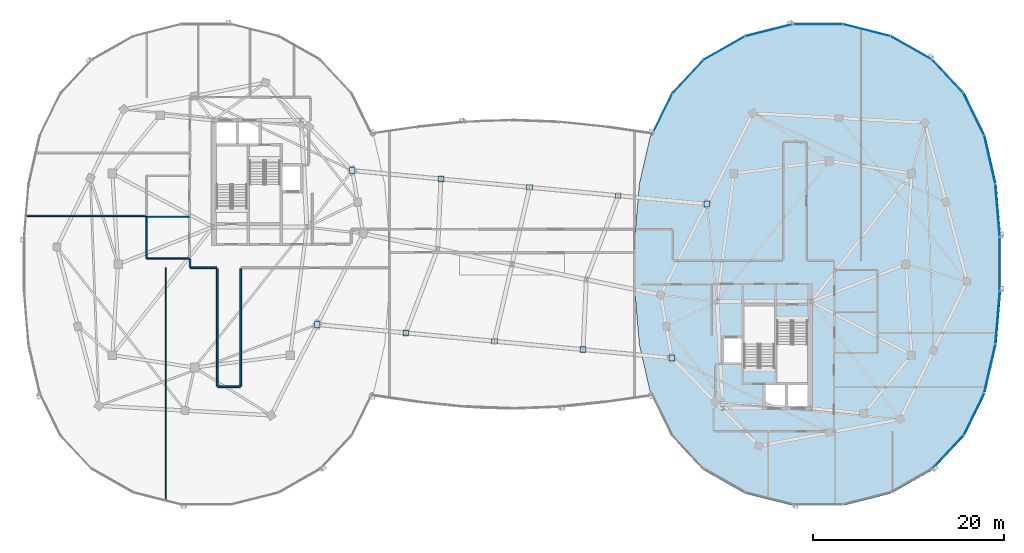
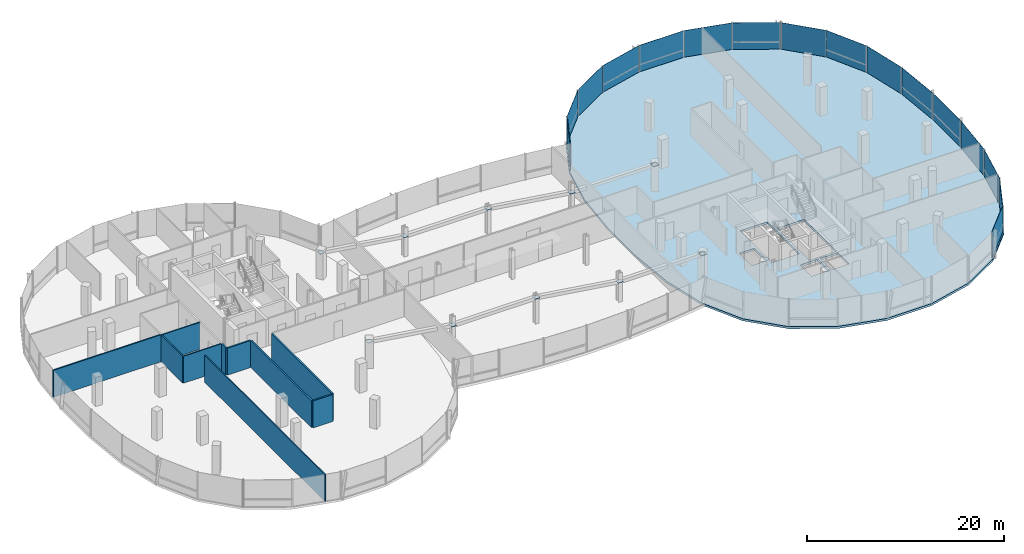
# One storey, part 13 of 25: 26 plates, 10 walls, 1 slab, 3 elements without a shape of their own.
"""IFC4 building model written with IfcOpenShell, lengths in metres."""

from ifc_helpers import new_model, si_unit, direction, frame, frame_2d, origin, origin_2d, place, context, subcontext, project, spatial, polyline, rectangle, outline, extrude, material, layer, layer_set, type_object, element, aggregate, save


model = new_model("IFC4")

# Units and contexts
model_context = context("Model", 3, precision=1e-05, world=origin(), true_north=direction((0.0, 1.0)))
body_context = subcontext(model_context, "Body", "Model", "MODEL_VIEW")
ifc_project = project(units=[si_unit("LENGTHUNIT", "METRE"), si_unit("AREAUNIT", "SQUARE_METRE"), si_unit("VOLUMEUNIT", "CUBIC_METRE"), si_unit("PLANEANGLEUNIT", "RADIAN"), si_unit("MASSUNIT", "GRAM", prefix="KILO"), si_unit("THERMODYNAMICTEMPERATUREUNIT", "KELVIN"), si_unit("POWERUNIT", "WATT")], contexts=[model_context])

# Site, building, storey
site_placement = place(None, origin())
site = spatial("IfcSite", under=ifc_project, at=site_placement, CompositionType="ELEMENT")
building_placement = place(site_placement, origin())
building = spatial("IfcBuilding", under=site, at=building_placement, Name="Cundina Bronze Exchange", CompositionType="ELEMENT")
storey_placement = place(building_placement, frame((0.0, 0.0, 239.60009765625)))
storey = spatial("IfcBuildingStorey", under=building, at=storey_placement, Name="L63", CompositionType="ELEMENT", Elevation=239.60009765625)

# Plates
ifc_material_1 = material(Name="Steel ASTM A572 Grade 50", Category="steel")
ifc_layer_1 = layer(ifc_material_1, 0.02490234375, Name="Steel ASTM A572 Grade 50", Category="steel")
ifc_layer_set_1 = layer_set([ifc_layer_1], Name="Steel ASTM A572 Grade 50")
plate_type_1 = type_object("IfcPlateType", Name="PLT-CAP-STL25", PredefinedType="USERDEFINED", material=ifc_layer_set_1)
for number, where, z_axis, x_axis, name in (
    (1, (-20.375, -6.300048828125, 3.117431640625), (0.0, 0.0, 1.0), (1.0, 0.0, 0.0), "L63 Sky-Gate Warren Truss Diagonal Y1-P1 End Cap Plate 1"),
    (2, (-11.106201171875, -7.175048828125, 2.407470703125), (0.0, 0.0, 1.0), (1.0, 0.0, 0.0), "L63 Sky-Gate Warren Truss Diagonal Y1-P1 End Cap Plate 2"),
    (3, (-1.83740234375, -8.050048828125, 3.117431640625), (0.0, 0.0, 1.0), (1.0, 0.0, 0.0), "L63 Sky-Gate Warren Truss Diagonal Y1-P2 End Cap Plate 2"),
    (4, (7.431396484375, -8.925048828125, 2.407470703125), (0.0, 0.0, 1.0), (1.0, 0.0, 0.0), "L63 Sky-Gate Warren Truss Diagonal Y1-P3 End Cap Plate 2"),
    (5, (16.699951171875, -9.800048828125, 3.117431640625), (0.0, 0.0, 1.0), (1.0, 0.0, 0.0), "L63 Sky-Gate Warren Truss Diagonal Y1-P4 End Cap Plate 2"),
    (6, (-16.699951171875, 9.800048828125, 3.117431640625), (0.0, 0.0, 1.0), (1.0, 0.0, 0.0), "L63 Sky-Gate Warren Truss Diagonal Y3-P1 End Cap Plate 1"),
    (7, (-7.43115234375, 8.925048828125, 2.407470703125), (0.0, 0.0, 1.0), (1.0, 0.0, 0.0), "L63 Sky-Gate Warren Truss Diagonal Y3-P1 End Cap Plate 2"),
    (8, (1.83740234375, 8.050048828125, 3.117431640625), (0.0, 0.0, 1.0), (1.0, 0.0, 0.0), "L63 Sky-Gate Warren Truss Diagonal Y3-P2 End Cap Plate 2"),
    (9, (11.106201171875, 7.175048828125, 2.407470703125), (0.0, 0.0, 1.0), (1.0, 0.0, 0.0), "L63 Sky-Gate Warren Truss Diagonal Y3-P3 End Cap Plate 2"),
    (10, (20.375, 6.300048828125, 3.117431640625), (0.0, 0.0, 1.0), (1.0, 0.0, 0.0), "L63 Sky-Gate Warren Truss Diagonal Y3-P4 End Cap Plate 2"),
):
    element("IfcPlate", number, at=place(storey_placement, frame(where, z_axis=z_axis, x_axis=x_axis)), inside=storey, type_object=plate_type_1, Name=name, ObjectType="STIFFENER_PLATE", PredefinedType="USERDEFINED", context=body_context, shape_type="SweptSolid", body=[
        extrude(rectangle(XDim=0.60009765625, YDim=0.60009765625, at=origin_2d()), origin(), (0.0, 0.0, 1.0), 0.02490234375),
    ])

# Curtain wall, plates
ifc_material_2 = material(Name="Anodised Bronze Aluminium 6063-T6", Category="aluminium")
curtain_wall_type = type_object("IfcCurtainWallType", Name="CWS-SKG-BRG", PredefinedType="NOTDEFINED", material=ifc_material_2)
curtain_wall_1_placement = place(storey_placement, origin())
curtain_wall_1 = element("IfcCurtainWall", 11, at=curtain_wall_1_placement, inside=storey, type_object=curtain_wall_type, Name="L63 CW-06 Curtain Wall Run CWR-L63-E1", PredefinedType="NOTDEFINED")
ifc_material_3 = material(Name="Heat-Strengthened Solar-Control Bronze Safety Glass 28mm", Category="glass")
ifc_layer_2 = layer(ifc_material_3, 0.028076171875, Name="Heat-Strengthened Solar-Control Bronze Safety Glass 28mm", Category="glass")
ifc_layer_set_2 = layer_set([ifc_layer_2], Name="Heat-Strengthened Solar-Control Bronze Safety Glass 28mm")
plate_type_2 = type_object("IfcPlateType", Name="PLT-GLZ-VIS28", PredefinedType="CURTAIN_PANEL", material=ifc_layer_set_2)
plate_1_placement = place(storey_placement, frame((50.78662109375, 5.605712890625, 0.02001953125), z_axis=(0.0, 0.0, 1.0), x_axis=(-0.083747411454, 0.996487015006, 0.0)))
plate_1 = element("IfcPlate", 12, at=plate_1_placement, type_object=plate_type_2, Name="CW-06 Glazed Panel 1", PredefinedType="CURTAIN_PANEL", context=body_context, shape_type="SweptSolid", body=[
    extrude(rectangle(XDim=5.474609375, YDim=0.028076171875, at=origin_2d()), origin(), (0.0, 0.0, 1.0), 3.300048828125),
])
plate_2_placement = place(storey_placement, frame((48.30126953125, 15.68017578125, 0.02001953125), z_axis=(0.0, 0.0, 1.0), x_axis=(-0.440503330345, 0.897750976582, 0.0)))
plate_2 = element("IfcPlate", 13, at=plate_2_placement, type_object=plate_type_2, Name="CW-06 Glazed Panel 3", PredefinedType="CURTAIN_PANEL", context=body_context, shape_type="SweptSolid", body=[
    extrude(rectangle(XDim=4.863525390625, YDim=0.028076171875, at=origin_2d()), origin(), (0.0, 0.0, 1.0), 3.300048828125),
])
plate_3_placement = place(storey_placement, frame((45.568115234375, 19.64501953125, 0.02001953125), z_axis=(0.0, 0.0, 1.0), x_axis=(-0.684343512797, 0.72915976061, 0.0)))
plate_3 = element("IfcPlate", 14, at=plate_3_placement, type_object=plate_type_2, Name="CW-06 Glazed Panel 4", PredefinedType="CURTAIN_PANEL", context=body_context, shape_type="SweptSolid", body=[
    extrude(rectangle(XDim=4.773193359375, YDim=0.028076171875, at=origin_2d()), origin(), (0.0, 0.0, 1.0), 3.300048828125),
])
plate_4_placement = place(storey_placement, frame((41.76171875, 22.6279296875, 0.02001953125), z_axis=(0.0, 0.0, 1.0), x_axis=(-0.869572506985, 0.493805280547, 0.0)))
plate_4 = element("IfcPlate", 15, at=plate_4_placement, type_object=plate_type_2, Name="CW-06 Glazed Panel 5", PredefinedType="CURTAIN_PANEL", context=body_context, shape_type="SweptSolid", body=[
    extrude(rectangle(XDim=4.907958984375, YDim=0.028076171875, at=origin_2d()), origin(), (0.0, 0.0, 1.0), 3.300048828125),
])
plate_5_placement = place(storey_placement, frame((37.109375, 24.4814453125, 0.02001953125), z_axis=(0.0, 0.0, 1.0), x_axis=(-0.969731542251, 0.244173577528, 0.0)))
plate_5 = element("IfcPlate", 16, at=plate_5_placement, type_object=plate_type_2, Name="CW-06 Glazed Panel 6", PredefinedType="CURTAIN_PANEL", context=body_context, shape_type="SweptSolid", body=[
    extrude(rectangle(XDim=5.0908203125, YDim=0.028076171875, at=origin_2d()), origin(), (0.0, 0.0, 1.0), 3.300048828125),
])

curtain_wall_2_placement = place(storey_placement, origin())
curtain_wall_2 = element("IfcCurtainWall", 17, at=curtain_wall_2_placement, inside=storey, type_object=curtain_wall_type, Name="L63 CW-06 Curtain Wall Run CWR-L63-E2", PredefinedType="NOTDEFINED")
plate_6_placement = place(storey_placement, frame((22.23828125, 22.6279296875, 0.02001953125), z_axis=(0.0, 0.0, 1.0), x_axis=(-0.869572506985, -0.493805280547, 0.0)))
plate_6 = element("IfcPlate", 18, at=plate_6_placement, type_object=plate_type_2, Name="CW-06 Glazed Panel 2", PredefinedType="CURTAIN_PANEL", context=body_context, shape_type="SweptSolid", body=[
    extrude(rectangle(XDim=4.907958984375, YDim=0.028076171875, at=origin_2d()), origin(), (0.0, 0.0, 1.0), 3.300048828125),
])
plate_7_placement = place(storey_placement, frame((18.431884765625, 19.64501953125, 0.02001953125), z_axis=(0.0, 0.0, 1.0), x_axis=(-0.684343512797, -0.72915976061, 0.0)))
plate_7 = element("IfcPlate", 19, at=plate_7_placement, type_object=plate_type_2, Name="CW-06 Glazed Panel 3", PredefinedType="CURTAIN_PANEL", context=body_context, shape_type="SweptSolid", body=[
    extrude(rectangle(XDim=4.773193359375, YDim=0.028076171875, at=origin_2d()), origin(), (0.0, 0.0, 1.0), 3.300048828125),
])
plate_8_placement = place(storey_placement, frame((15.69873046875, 15.68017578125, 0.02001953125), z_axis=(0.0, 0.0, 1.0), x_axis=(-0.440503330345, -0.897750976582, 0.0)))
plate_8 = element("IfcPlate", 20, at=plate_8_placement, type_object=plate_type_2, Name="CW-06 Glazed Panel 4", PredefinedType="CURTAIN_PANEL", context=body_context, shape_type="SweptSolid", body=[
    extrude(rectangle(XDim=4.863525390625, YDim=0.028076171875, at=origin_2d()), origin(), (0.0, 0.0, 1.0), 3.300048828125),
])

curtain_wall_3_placement = place(storey_placement, origin())
curtain_wall_3 = element("IfcCurtainWall", 21, at=curtain_wall_3_placement, inside=storey, type_object=curtain_wall_type, Name="L63 CW-06 Curtain Wall Run CWR-L63-E4", PredefinedType="NOTDEFINED")
plate_9_placement = place(storey_placement, frame((45.568115234375, -19.64501953125, 0.02001953125), z_axis=(0.0, 0.0, 1.0), x_axis=(0.684343512797, 0.72915976061, 0.0)))
plate_9 = element("IfcPlate", 22, at=plate_9_placement, type_object=plate_type_2, Name="CW-06 Glazed Panel 1", PredefinedType="CURTAIN_PANEL", context=body_context, shape_type="SweptSolid", body=[
    extrude(rectangle(XDim=4.773193359375, YDim=0.028076171875, at=origin_2d()), origin(), (0.0, 0.0, 1.0), 3.300048828125),
])
plate_10_placement = place(storey_placement, frame((48.30126953125, -15.68017578125, 0.02001953125), z_axis=(0.0, 0.0, 1.0), x_axis=(0.440503330345, 0.897750976582, 0.0)))
plate_10 = element("IfcPlate", 23, at=plate_10_placement, type_object=plate_type_2, Name="CW-06 Glazed Panel 2", PredefinedType="CURTAIN_PANEL", context=body_context, shape_type="SweptSolid", body=[
    extrude(rectangle(XDim=4.863525390625, YDim=0.028076171875, at=origin_2d()), origin(), (0.0, 0.0, 1.0), 3.300048828125),
])
plate_11_placement = place(storey_placement, frame((49.96923828125, -10.922607421875, 0.02001953125), z_axis=(0.0, 0.0, 1.0), x_axis=(0.223284141459, 0.974753400698, 0.0)))
plate_11 = element("IfcPlate", 24, at=plate_11_placement, type_object=plate_type_2, Name="CW-06 Glazed Panel 3", PredefinedType="CURTAIN_PANEL", context=body_context, shape_type="SweptSolid", body=[
    extrude(rectangle(XDim=5.167724609375, YDim=0.028076171875, at=origin_2d()), origin(), (0.0, 0.0, 1.0), 3.300048828125),
])
plate_12_placement = place(storey_placement, frame((51.01904296875, 0.0, 0.02001953125), z_axis=(0.0, 0.0, 1.0), x_axis=(0.0, 1.0, 0.0)))
plate_12 = element("IfcPlate", 25, at=plate_12_placement, type_object=plate_type_2, Name="CW-06 Glazed Panel 5", PredefinedType="CURTAIN_PANEL", context=body_context, shape_type="SweptSolid", body=[
    extrude(rectangle(XDim=5.597900390625, YDim=0.028076171875, at=origin_2d()), origin(), (0.0, 0.0, 1.0), 3.300048828125),
])

# Plate
ifc_material_4 = material(Name="Dark Bronze Spandrel Glass Panel 32mm", Category="glass")
ifc_layer_3 = layer(ifc_material_4, 0.031982421875, Name="Dark Bronze Spandrel Glass Panel 32mm", Category="glass")
ifc_layer_set_3 = layer_set([ifc_layer_3], Name="Dark Bronze Spandrel Glass Panel 32mm")
plate_type_3 = type_object("IfcPlateType", Name="PLT-SPN-BRZ32", PredefinedType="CURTAIN_PANEL", material=ifc_layer_set_3)
plate_13_placement = place(storey_placement, frame((49.96923828125, 10.922607421875, 0.02001953125), z_axis=(0.0, 0.0, 1.0), x_axis=(-0.223284141459, 0.974753400698, 0.0)))
plate_13 = element("IfcPlate", 26, at=plate_13_placement, type_object=plate_type_3, Name="CW-06 Glazed Panel 2", PredefinedType="CURTAIN_PANEL", context=body_context, shape_type="SweptSolid", body=[
    extrude(rectangle(XDim=5.167724609375, YDim=0.031982421875, at=origin_2d()), origin(), (0.0, 0.0, 1.0), 3.300048828125),
])

plate_14_placement = place(storey_placement, frame((32.0, 25.110107421875, 0.02001953125), z_axis=(0.0, 0.0, 1.0), x_axis=(-1.0, 0.0, 0.0)))
plate_14 = element("IfcPlate", 27, at=plate_14_placement, type_object=plate_type_3, Name="CW-06 Glazed Panel 7", PredefinedType="CURTAIN_PANEL", context=body_context, shape_type="SweptSolid", body=[
    extrude(rectangle(XDim=5.16796875, YDim=0.031982421875, at=origin_2d()), origin(), (0.0, 0.0, 1.0), 3.300048828125),
])

aggregate(curtain_wall_1, [plate_1, plate_13, plate_2, plate_3, plate_4, plate_5, plate_14])

plate_15_placement = place(storey_placement, frame((26.890625, 24.4814453125, 0.02001953125), z_axis=(0.0, 0.0, 1.0), x_axis=(-0.969731542251, -0.244173577528, 0.0)))
plate_15 = element("IfcPlate", 28, at=plate_15_placement, type_object=plate_type_3, Name="CW-06 Glazed Panel 1", PredefinedType="CURTAIN_PANEL", context=body_context, shape_type="SweptSolid", body=[
    extrude(rectangle(XDim=5.0908203125, YDim=0.031982421875, at=origin_2d()), origin(), (0.0, 0.0, 1.0), 3.300048828125),
])

aggregate(curtain_wall_2, [plate_15, plate_6, plate_7, plate_8])

plate_16_placement = place(storey_placement, frame((50.78662109375, -5.605712890625, 0.02001953125), z_axis=(0.0, 0.0, 1.0), x_axis=(0.083747411454, 0.996487015006, 0.0)))
plate_16 = element("IfcPlate", 29, at=plate_16_placement, type_object=plate_type_3, Name="CW-06 Glazed Panel 4", PredefinedType="CURTAIN_PANEL", context=body_context, shape_type="SweptSolid", body=[
    extrude(rectangle(XDim=5.474609375, YDim=0.031982421875, at=origin_2d()), origin(), (0.0, 0.0, 1.0), 3.300048828125),
])

aggregate(curtain_wall_3, [plate_9, plate_10, plate_11, plate_16, plate_12])

# Slab
ifc_material_5 = material(Name="Concrete C50/60", Category="concrete")
ifc_layer_4 = layer(ifc_material_5, 0.260009765625, Name="Concrete C50/60", Category="concrete")
ifc_layer_set_4 = layer_set([ifc_layer_4], Name="Concrete C50/60")
slab_type = type_object("IfcSlabType", Name="SLB-OFF-260", PredefinedType="FLOOR", material=ifc_layer_set_4)
slab_placement = place(storey_placement, frame((0.0, 0.0, -0.260009765625)))
element("IfcSlab", 30, at=slab_placement, inside=storey, type_object=slab_type, Name="L63 Leg E Structural Floor Slab", PredefinedType="FLOOR", context=body_context, shape_type="SweptSolid", body=[
    extrude(outline(polyline([(51.14892578125, 2.843994140625), (50.68310546875, 8.388916015625), (49.509033203125, 13.513916015625), (47.326904296875, 17.9609375), (43.9990234375, 21.507080078125), (39.653076171875, 23.97509765625), (34.62890625, 25.239990234375), (29.37109375, 25.239990234375), (24.346923828125, 23.97509765625), (20.0009765625, 21.507080078125), (16.673095703125, 17.9609375), (14.490966796875, 13.513916015625), (13.31689453125, 8.388916015625), (12.85107421875, 2.843994140625), (12.85107421875, -2.843994140625), (13.31689453125, -8.388916015625), (14.490966796875, -13.513916015625), (16.673095703125, -17.9609375), (20.0009765625, -21.507080078125), (24.346923828125, -23.97509765625), (29.37109375, -25.239990234375), (34.62890625, -25.239990234375), (39.653076171875, -23.97509765625), (43.9990234375, -21.507080078125), (47.326904296875, -17.9609375), (49.509033203125, -13.513916015625), (50.68310546875, -8.388916015625), (51.14892578125, -2.843994140625), (51.14892578125, 2.843994140625)]), holes=[polyline([(27.739990234375, -5.85009765625), (27.739990234375, -12.35009765625), (30.89990234375, -12.35009765625), (30.89990234375, -5.85009765625), (27.739990234375, -5.85009765625)]), polyline([(27.43994140625, -10.85009765625), (27.43994140625, -4.35009765625), (24.280029296875, -4.35009765625), (24.280029296875, -10.85009765625), (27.43994140625, -10.85009765625)]), polyline([(22.179931640625, -7.75), (23.97998046875, -7.75), (23.97998046875, -10.25), (22.179931640625, -10.25), (22.179931640625, -7.75)]), polyline([(28.85009765625, -12.64990234375), (30.89990234375, -12.64990234375), (30.89990234375, -14.949951171875), (28.85009765625, -14.949951171875), (28.85009765625, -12.64990234375)]), polyline([(26.5, -12.64990234375), (28.550048828125, -12.64990234375), (28.550048828125, -14.949951171875), (26.5, -14.949951171875), (26.5, -12.64990234375)])]), origin(), (0.0, 0.0, 1.0), 0.260009765625),
])

# Walls
ifc_material_6 = material(Name="Gypsum Fireboard Partition EI120")
ifc_layer_5 = layer(ifc_material_6, 0.179931640625, Name="Gypsum Fireboard Partition EI120")
ifc_layer_set_5 = layer_set([ifc_layer_5], Name="Gypsum Fireboard Partition EI120")
wall_type_1 = type_object("IfcWallType", Name="WL-COR-180", PredefinedType="PARTITIONING", material=ifc_layer_set_5)
for number, where, z_axis, x_axis, name in (
    (31, (-30.820068359375, -0.449951171875, 0.0), (0.0, 0.0, 1.0), (0.0, -1.0, 0.0), "L63 Interior Partition 019"),
    (32, (-28.3798828125, -12.778564453125, 0.0), (0.0, 0.0, 1.0), (0.0, 1.0, 0.0), "L63 Interior Partition 020"),
):
    element("IfcWall", number, at=place(storey_placement, frame(where, z_axis=z_axis, x_axis=x_axis)), inside=storey, type_object=wall_type_1, Name=name, PredefinedType="PARTITIONING", context=body_context, shape_type="SweptSolid", body=[
        extrude(rectangle(XDim=12.32861328125, YDim=0.179931640625, at=frame_2d((6.164306640625, 0.0))), origin(), (0.0, 0.0, 1.0), 3.33984375),
    ])
wall_1_placement = place(storey_placement, frame((-33.62841796875, -0.3701171875, 0.0), z_axis=(0.0, 0.0, 1.0), x_axis=(1.0, 0.0, 0.0)))
element("IfcWall", 33, at=wall_1_placement, inside=storey, type_object=wall_type_1, Name="L63 Interior Partition 021", PredefinedType="PARTITIONING", context=body_context, shape_type="SweptSolid", body=[
    extrude(rectangle(XDim=2.728515625, YDim=0.179931640625, at=frame_2d((1.3642578125, 0.0))), origin(), (0.0, 0.0, 1.0), 3.33984375),
])
wall_2_placement = place(storey_placement, frame((-30.778564453125, -12.820068359375, 0.0), z_axis=(0.0, 0.0, 1.0), x_axis=(1.0, 0.0, 0.0)))
element("IfcWall", 34, at=wall_2_placement, inside=storey, type_object=wall_type_1, Name="L63 Interior Partition 022", PredefinedType="PARTITIONING", context=body_context, shape_type="SweptSolid", body=[
    extrude(rectangle(XDim=2.357177734375, YDim=0.179931640625, at=frame_2d((1.1787109375, 0.0))), origin(), (0.0, 0.0, 1.0), 3.33984375),
])
wall_3_placement = place(storey_placement, frame((-33.669921875, 0.508544921875, 0.0), z_axis=(0.0, 0.0, 1.0), x_axis=(0.0, -1.0, 0.0)))
element("IfcWall", 35, at=wall_3_placement, inside=storey, type_object=wall_type_1, Name="L63 Interior Partition 023", PredefinedType="PARTITIONING", context=body_context, shape_type="SweptSolid", body=[
    extrude(rectangle(XDim=0.837158203125, YDim=0.179931640625, at=frame_2d((0.41845703125, 0.0))), origin(), (0.0, 0.0, 1.0), 3.33984375),
])
ifc_material_7 = material(Name="Gypsum Acoustic Partition EI60")
ifc_layer_6 = layer(ifc_material_7, 0.125, Name="Gypsum Acoustic Partition EI60")
ifc_layer_set_6 = layer_set([ifc_layer_6], Name="Gypsum Acoustic Partition EI60")
wall_type_2 = type_object("IfcWallType", Name="WL-OFF-125", PredefinedType="PARTITIONING", material=ifc_layer_set_6)
wall_4_placement = place(storey_placement, frame((-36.199951171875, -24.79345703125, 0.0), z_axis=(0.0, 0.0, 1.0), x_axis=(0.0, 1.0, 0.0)))
element("IfcWall", 36, at=wall_4_placement, inside=storey, type_object=wall_type_2, Name="L63 Interior Partition 011", PredefinedType="PARTITIONING", context=body_context, shape_type="SweptSolid", body=[
    extrude(rectangle(XDim=24.42333984375, YDim=0.125, at=frame_2d((12.211669921875, 0.0))), origin(), (0.0, 0.0, 1.0), 3.33984375),
])
ifc_layer_7 = layer(ifc_material_7, 0.14990234375, Name="Gypsum Acoustic Partition EI60")
ifc_layer_set_7 = layer_set([ifc_layer_7], Name="Gypsum Acoustic Partition EI60")
wall_type_3 = type_object("IfcWallType", Name="WL-TEN-150", PredefinedType="PARTITIONING", material=ifc_layer_set_7)
wall_5_placement = place(storey_placement, frame((-50.91259765625, 5.06005859375, 0.0), z_axis=(0.0, 0.0, 1.0), x_axis=(1.0, 0.0, 0.0)))
element("IfcWall", 37, at=wall_5_placement, inside=storey, type_object=wall_type_3, Name="L63 Interior Partition 012", PredefinedType="PARTITIONING", context=body_context, shape_type="SweptSolid", body=[
    extrude(rectangle(XDim=12.642578125, YDim=0.14990234375, at=frame_2d((6.3212890625, 0.0))), origin(), (0.0, 0.0, 1.0), 3.33984375),
])
ifc_material_8 = material(Name="Moisture-Resistant Masonry Block Grade M15", Category="masonry")
ifc_layer_8 = layer(ifc_material_8, 0.139892578125, Name="Moisture-Resistant Masonry Block Grade M15", Category="masonry")
ifc_layer_set_8 = layer_set([ifc_layer_8], Name="Moisture-Resistant Masonry Block Grade M15")
wall_type_4 = type_object("IfcWallType", Name="WL-WET-140", PredefinedType="PARTITIONING", material=ifc_layer_set_8)
wall_6_placement = place(storey_placement, frame((-38.239990234375, 0.6201171875, 0.0), z_axis=(0.0, 0.0, 1.0), x_axis=(0.0, 1.0, 0.0)))
element("IfcWall", 38, at=wall_6_placement, inside=storey, type_object=wall_type_4, Name="L63 Interior Partition 004", PredefinedType="PARTITIONING", context=body_context, shape_type="SweptSolid", body=[
    extrude(rectangle(XDim=4.27490234375, YDim=0.139892578125, at=frame_2d((2.137451171875, 0.0))), origin(), (0.0, 0.0, 1.0), 3.33984375),
])
for number, where, z_axis, x_axis, name in (
    (39, (-38.219970703125, 0.60009765625, 0.0), (0.0, 0.0, 1.0), (1.0, 0.0, 0.0), "L63 Interior Partition 006"),
    (40, (-38.219970703125, 4.97998046875, 0.0), (0.0, 0.0, 1.0), (1.0, 0.0, 0.0), "L63 Interior Partition 007"),
):
    element("IfcWall", number, at=place(storey_placement, frame(where, z_axis=z_axis, x_axis=x_axis)), inside=storey, type_object=wall_type_4, Name=name, PredefinedType="PARTITIONING", context=body_context, shape_type="SweptSolid", body=[
        extrude(rectangle(XDim=4.47998046875, YDim=0.139892578125, at=frame_2d((2.239990234375, 0.0))), origin(), (0.0, 0.0, 1.0), 3.33984375),
    ])

save(model, "model.ifc")
